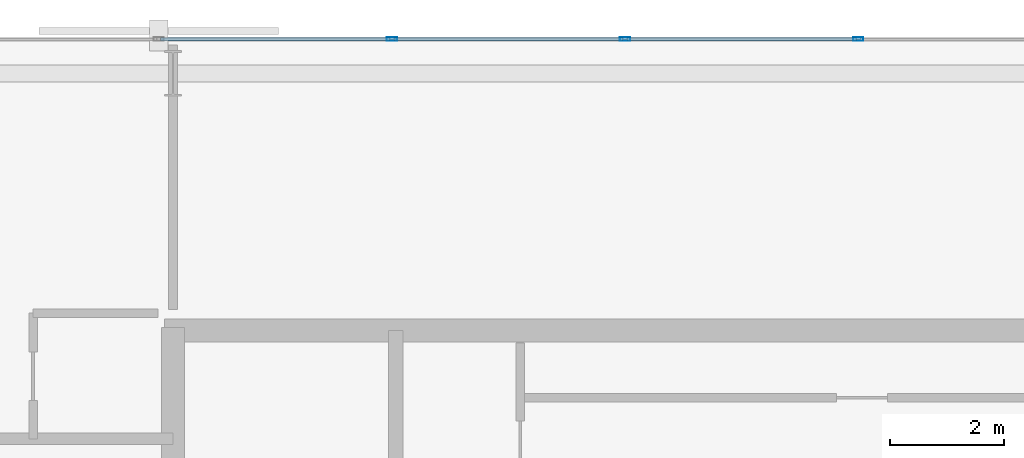
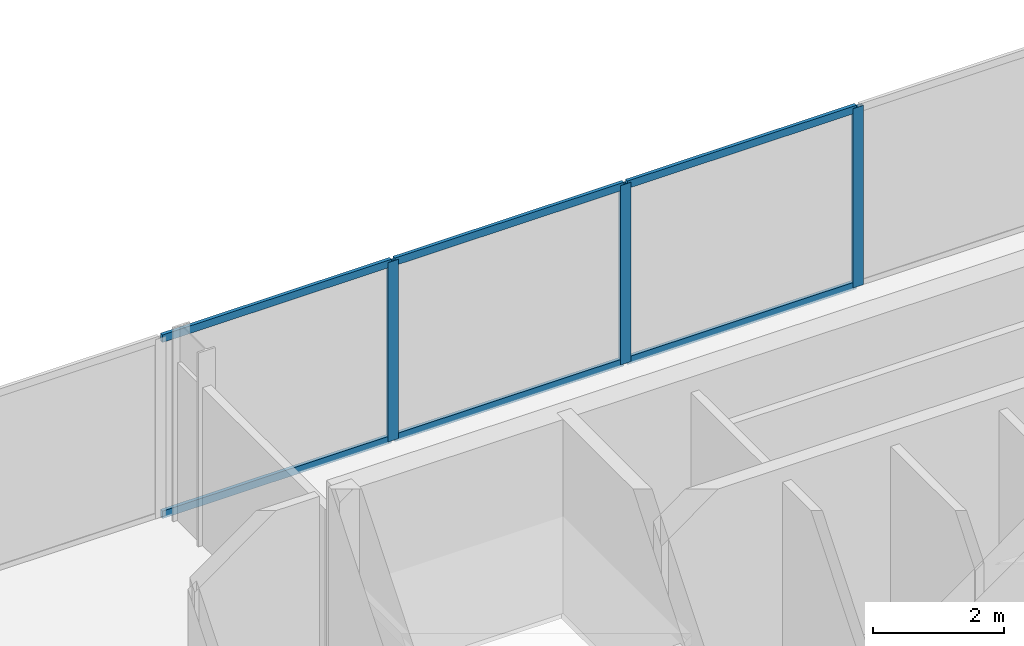
# One storey, part 23 of 33: 9 members, 1 element without a shape of its own.
"""IFC4 building model written with IfcOpenShell, lengths in metres."""

from ifc_helpers import new_model, si_unit, direction, frame, origin, origin_2d, place, context, subcontext, project, spatial, hollow_rectangle, extrude, material, layer, layer_set, material_profile, profile_set, type_object, element, aggregate, save


model = new_model("IFC4")

# Units and contexts
model_context = context("Model", 3, precision=1e-05, world=origin(), true_north=direction((0.0, 1.0)))
body_context = subcontext(model_context, "Body", "Model", "MODEL_VIEW")
ifc_project = project(units=[si_unit("LENGTHUNIT", "METRE"), si_unit("AREAUNIT", "SQUARE_METRE"), si_unit("VOLUMEUNIT", "CUBIC_METRE"), si_unit("PLANEANGLEUNIT", "RADIAN"), si_unit("MASSUNIT", "GRAM", prefix="KILO")], contexts=[model_context])

# Site, building, storey
site_placement = place(None, origin())
site = spatial("IfcSite", under=ifc_project, at=site_placement, CompositionType="ELEMENT")
building_placement = place(site_placement, origin())
building = spatial("IfcBuilding", under=site, at=building_placement, Name="Catumbela Crestline Tower", CompositionType="ELEMENT")
storey_placement = place(building_placement, frame((0.0, 0.0, 47.4)))
storey = spatial("IfcBuildingStorey", under=building, at=storey_placement, Name="L11", CompositionType="ELEMENT", Elevation=47.4)

# Curtain wall, members
ifc_material = material(Name="Aluminium alloy AW-6060-T66", Category="aluminium")
ifc_layer = layer(ifc_material, 0.18, Name="Aluminium alloy AW-6060-T66")
ifc_layer_set = layer_set([ifc_layer], Name="Aluminium alloy AW-6060-T66")
curtain_wall_type = type_object("IfcCurtainWallType", Name="CWU-Z1", PredefinedType="USERDEFINED", material=ifc_layer_set)
curtain_wall_placement = place(storey_placement, origin())
curtain_wall = element("IfcCurtainWall", 1, at=curtain_wall_placement, inside=storey, type_object=curtain_wall_type, Name="L11 Unitised Curtain Wall CW-L11-E7S1", ObjectType="UNITISED", PredefinedType="USERDEFINED")
ifc_material_profile_1 = material_profile(ifc_material, hollow_rectangle(XDim=0.065, YDim=0.18, WallThickness=0.004, at=origin_2d()), Name="ALU 180x65x4")
ifc_profile_set_1 = profile_set([ifc_material_profile_1], Name="Aluminium alloy AW-6060-T66")
member_type_1 = type_object("IfcMemberType", Name="MUL-180X65", PredefinedType="MULLION", material=ifc_profile_set_1)
member_1_placement = place(storey_placement, frame((28.0, 48.0, 0.0), z_axis=(0.0, 0.0, 1.0), x_axis=(0.0, -1.0, 0.0)))
member_1 = element("IfcMember", 2, at=member_1_placement, type_object=member_type_1, Name="CWU-Z1 mullion 7", PredefinedType="MULLION", context=body_context, shape_type="SweptSolid", body=[
    extrude(hollow_rectangle(XDim=0.065, YDim=0.18, WallThickness=0.004, at=origin_2d()), origin(), (0.0, 0.0, 1.0), 3.33),
])
member_2_placement = place(storey_placement, frame((23.9167, 48.0, 0.0), z_axis=(0.0, 0.0, 1.0), x_axis=(0.0, -1.0, 0.0)))
member_2 = element("IfcMember", 3, at=member_2_placement, type_object=member_type_1, Name="CWU-Z1 mullion 8", PredefinedType="MULLION", context=body_context, shape_type="SweptSolid", body=[
    extrude(hollow_rectangle(XDim=0.065, YDim=0.18, WallThickness=0.004, at=origin_2d()), origin(), (0.0, 0.0, 1.0), 3.33),
])
member_3_placement = place(storey_placement, frame((19.8333, 48.0, 0.0), z_axis=(0.0, 0.0, 1.0), x_axis=(0.0, -1.0, 0.0)))
member_3 = element("IfcMember", 4, at=member_3_placement, type_object=member_type_1, Name="CWU-Z1 mullion 9", PredefinedType="MULLION", context=body_context, shape_type="SweptSolid", body=[
    extrude(hollow_rectangle(XDim=0.065, YDim=0.18, WallThickness=0.004, at=origin_2d()), origin(), (0.0, 0.0, 1.0), 3.33),
])
ifc_material_profile_2 = material_profile(ifc_material, hollow_rectangle(XDim=0.06, YDim=0.14, WallThickness=0.004, at=origin_2d()), Name="ALU 140x60x4")
ifc_profile_set_2 = profile_set([ifc_material_profile_2], Name="Aluminium alloy AW-6060-T66")
member_type_2 = type_object("IfcMemberType", Name="TRN-140X60", PredefinedType="USERDEFINED", material=ifc_profile_set_2)
member_4_placement = place(storey_placement, frame((27.9675, 48.0, 0.03), z_axis=(-1.0, 0.0, 0.0), x_axis=(0.0, -1.0, 0.0)))
member_4 = element("IfcMember", 5, at=member_4_placement, type_object=member_type_2, Name="CWU-Z1 transom 7.1", ObjectType="TRANSOM", PredefinedType="USERDEFINED", context=body_context, shape_type="SweptSolid", body=[
    extrude(hollow_rectangle(XDim=0.06, YDim=0.14, WallThickness=0.004, at=origin_2d()), origin(), (0.0, 0.0, 1.0), 4.0183),
])
member_5_placement = place(storey_placement, frame((27.9675, 48.0, 3.3), z_axis=(-1.0, 0.0, 0.0), x_axis=(0.0, -1.0, 0.0)))
member_5 = element("IfcMember", 6, at=member_5_placement, type_object=member_type_2, Name="CWU-Z1 transom 7.2", ObjectType="TRANSOM", PredefinedType="USERDEFINED", context=body_context, shape_type="SweptSolid", body=[
    extrude(hollow_rectangle(XDim=0.06, YDim=0.14, WallThickness=0.004, at=origin_2d()), origin(), (0.0, 0.0, 1.0), 4.0183),
])
member_6_placement = place(storey_placement, frame((23.8842, 48.0, 0.03), z_axis=(-1.0, 0.0, 0.0), x_axis=(0.0, -1.0, 0.0)))
member_6 = element("IfcMember", 7, at=member_6_placement, type_object=member_type_2, Name="CWU-Z1 transom 8.1", ObjectType="TRANSOM", PredefinedType="USERDEFINED", context=body_context, shape_type="SweptSolid", body=[
    extrude(hollow_rectangle(XDim=0.06, YDim=0.14, WallThickness=0.004, at=origin_2d()), origin(), (0.0, 0.0, 1.0), 4.0184),
])
member_7_placement = place(storey_placement, frame((23.8842, 48.0, 3.3), z_axis=(-1.0, 0.0, 0.0), x_axis=(0.0, -1.0, 0.0)))
member_7 = element("IfcMember", 8, at=member_7_placement, type_object=member_type_2, Name="CWU-Z1 transom 8.2", ObjectType="TRANSOM", PredefinedType="USERDEFINED", context=body_context, shape_type="SweptSolid", body=[
    extrude(hollow_rectangle(XDim=0.06, YDim=0.14, WallThickness=0.004, at=origin_2d()), origin(), (0.0, 0.0, 1.0), 4.0184),
])
member_8_placement = place(storey_placement, frame((19.8008, 48.0, 0.03), z_axis=(-1.0, 0.0, 0.0), x_axis=(0.0, -1.0, 0.0)))
member_8 = element("IfcMember", 9, at=member_8_placement, type_object=member_type_2, Name="CWU-Z1 transom 9.1", ObjectType="TRANSOM", PredefinedType="USERDEFINED", context=body_context, shape_type="SweptSolid", body=[
    extrude(hollow_rectangle(XDim=0.06, YDim=0.14, WallThickness=0.004, at=origin_2d()), origin(), (0.0, 0.0, 1.0), 4.0183),
])
member_9_placement = place(storey_placement, frame((19.8008, 48.0, 3.3), z_axis=(-1.0, 0.0, 0.0), x_axis=(0.0, -1.0, 0.0)))
member_9 = element("IfcMember", 10, at=member_9_placement, type_object=member_type_2, Name="CWU-Z1 transom 9.2", ObjectType="TRANSOM", PredefinedType="USERDEFINED", context=body_context, shape_type="SweptSolid", body=[
    extrude(hollow_rectangle(XDim=0.06, YDim=0.14, WallThickness=0.004, at=origin_2d()), origin(), (0.0, 0.0, 1.0), 4.0183),
])
aggregate(curtain_wall, [member_1, member_2, member_3, member_4, member_5, member_6, member_7, member_8, member_9])

save(model, "model.ifc")
